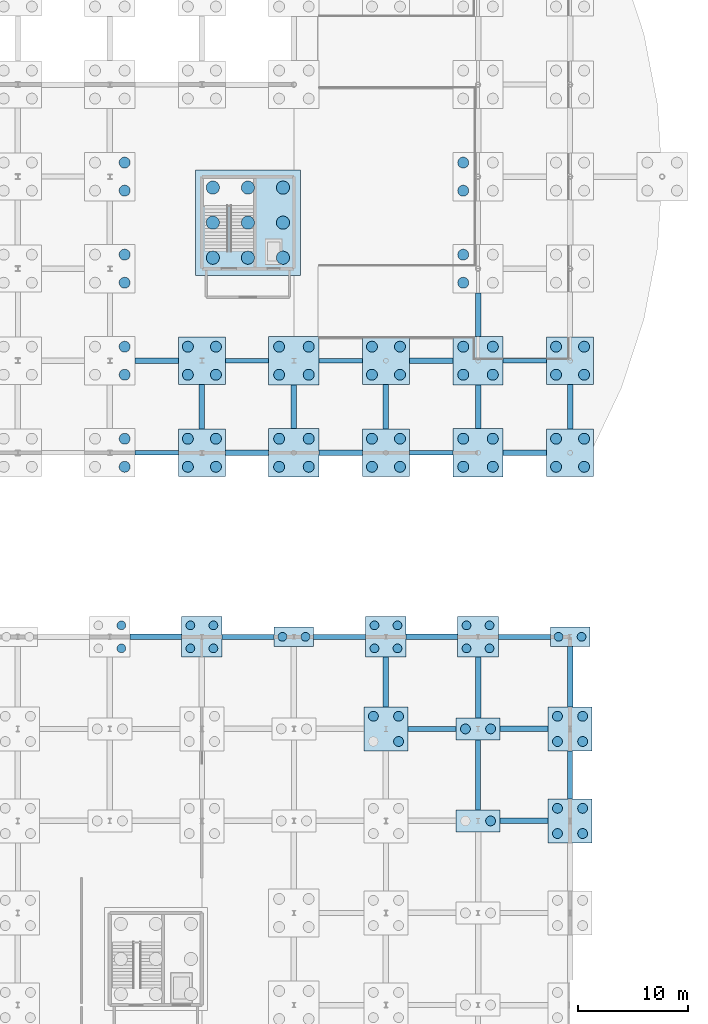
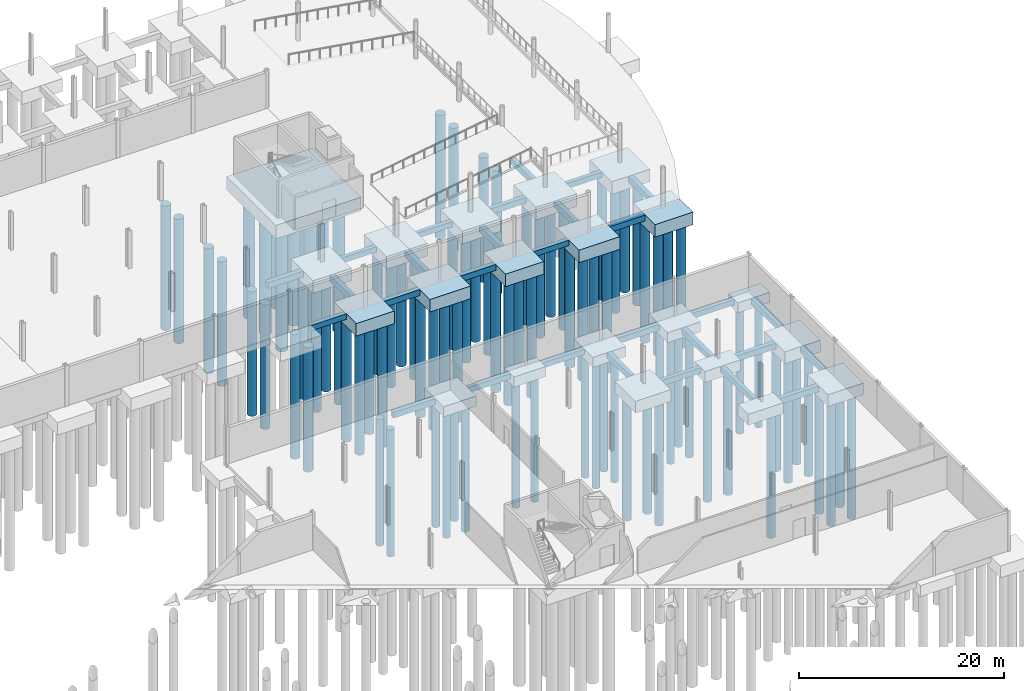
# One storey, part 10 of 51: 93 piles, 50 footings.
"""IFC4 building model written with IfcOpenShell, lengths in metres."""

from ifc_helpers import new_model, si_unit, direction, frame, origin, origin_2d, place, context, subcontext, project, spatial, rectangle, circle, extrude, material, material_profile, profile_set, type_object, element, save


model = new_model("IFC4")

# Units and contexts
model_context = context("Model", 3, precision=1e-05, world=origin(), true_north=direction((0.0, 1.0)))
body_context = subcontext(model_context, "Body", "Model", "MODEL_VIEW")
ifc_project = project(units=[si_unit("LENGTHUNIT", "METRE"), si_unit("AREAUNIT", "SQUARE_METRE"), si_unit("VOLUMEUNIT", "CUBIC_METRE"), si_unit("PLANEANGLEUNIT", "RADIAN"), si_unit("MASSUNIT", "GRAM", prefix="KILO")], contexts=[model_context])

# Site, building, storey
site_placement = place(None, origin())
site = spatial("IfcSite", under=ifc_project, at=site_placement, CompositionType="ELEMENT")
building_placement = place(site_placement, origin())
building = spatial("IfcBuilding", under=site, at=building_placement, Name="Qalvenar Corner Mobility Hub", CompositionType="ELEMENT")
storey_placement = place(building_placement, frame((0.0, 0.0, -4.5)))
storey = spatial("IfcBuildingStorey", under=building, at=storey_placement, Name="B1", CompositionType="ELEMENT", Elevation=-4.5)

# Footings
ifc_material = material(Name="Concrete C40/50", Category="concrete")
footing_type_1 = type_object("IfcFootingType", Name="PC-24X24X12", PredefinedType="PILE_CAP", material=ifc_material)
for number, where, z_axis, x_axis, name in (
    (1, (142.800048828125, 50.39990234375, -1.5498046875), (0.0, 0.0, 1.0), (1.0, 0.0, 0.0), "Pile Cap G18-6"),
    (2, (168.0, 50.39990234375, -1.5498046875), (0.0, 0.0, 1.0), (1.0, 0.0, 0.0), "Pile Cap G21-6"),
):
    element("IfcFooting", number, at=place(storey_placement, frame(where, z_axis=z_axis, x_axis=x_axis)), inside=storey, type_object=footing_type_1, Name=name, PredefinedType="PILE_CAP", context=body_context, shape_type="SweptSolid", body=[
        extrude(rectangle(XDim=3.60009765625, YDim=1.800048828125, at=origin_2d()), origin(), (0.0, 0.0, 1.0), 1.199951171875),
    ])
footing_type_2 = type_object("IfcFootingType", Name="PC-28X28X12", PredefinedType="PILE_CAP", material=ifc_material)
for number, where, z_axis, x_axis, name in (
    (3, (134.39990234375, 50.39990234375, -1.5498046875), (0.0, 0.0, 1.0), (1.0, 0.0, 0.0), "Pile Cap G17-6"),
    (4, (151.199951171875, 50.39990234375, -1.5498046875), (0.0, 0.0, 1.0), (1.0, 0.0, 0.0), "Pile Cap G19-6"),
    (5, (159.60009765625, 50.39990234375, -1.5498046875), (0.0, 0.0, 1.0), (1.0, 0.0, 0.0), "Pile Cap G20-6"),
):
    element("IfcFooting", number, at=place(storey_placement, frame(where, z_axis=z_axis, x_axis=x_axis)), inside=storey, type_object=footing_type_2, Name=name, PredefinedType="PILE_CAP", context=body_context, shape_type="SweptSolid", body=[
        extrude(rectangle(XDim=3.699951171875, YDim=3.699951171875, at=origin_2d()), origin(), (0.0, 0.0, 1.0), 1.199951171875),
    ])
footing_type_3 = type_object("IfcFootingType", Name="PC-32X24X13", PredefinedType="PILE_CAP", material=ifc_material)
for number, where, z_axis, x_axis, name in (
    (6, (159.60009765625, 33.60009765625, -1.64990234375), (0.0, 0.0, 1.0), (1.0, 0.0, 0.0), "Pile Cap G20-4"),
    (7, (159.60009765625, 42.0, -1.64990234375), (0.0, 0.0, 1.0), (1.0, 0.0, 0.0), "Pile Cap G20-5"),
):
    element("IfcFooting", number, at=place(storey_placement, frame(where, z_axis=z_axis, x_axis=x_axis)), inside=storey, type_object=footing_type_3, Name=name, PredefinedType="PILE_CAP", context=body_context, shape_type="SweptSolid", body=[
        extrude(rectangle(XDim=4.0, YDim=2.0, at=origin_2d()), origin(), (0.0, 0.0, 1.0), 1.300048828125),
    ])
footing_type_4 = type_object("IfcFootingType", Name="PC-34X34X14", PredefinedType="PILE_CAP", material=ifc_material)
for number, where, z_axis, x_axis, name in (
    (8, (151.199951171875, 42.0, -1.75), (0.0, 0.0, 1.0), (1.0, 0.0, 0.0), "Pile Cap G19-5"),
    (9, (168.0, 33.60009765625, -1.75), (0.0, 0.0, 1.0), (1.0, 0.0, 0.0), "Pile Cap G21-4"),
    (10, (168.0, 42.0, -1.75), (0.0, 0.0, 1.0), (1.0, 0.0, 0.0), "Pile Cap G21-5"),
):
    element("IfcFooting", number, at=place(storey_placement, frame(where, z_axis=z_axis, x_axis=x_axis)), inside=storey, type_object=footing_type_4, Name=name, PredefinedType="PILE_CAP", context=body_context, shape_type="SweptSolid", body=[
        extrude(rectangle(XDim=4.0, YDim=4.0, at=origin_2d()), origin(), (0.0, 0.0, 1.0), 1.39990234375),
    ])
footing_type_5 = type_object("IfcFootingType", Name="PC-38X38X15", PredefinedType="PILE_CAP", material=ifc_material)
for number, where, z_axis, x_axis, name in (
    (11, (134.39990234375, 67.199951171875, -1.85009765625), (0.0, 0.0, 1.0), (1.0, 0.0, 0.0), "Pile Cap G17-8"),
    (12, (134.39990234375, 75.60009765625, -1.85009765625), (0.0, 0.0, 1.0), (1.0, 0.0, 0.0), "Pile Cap G17-9"),
    (13, (151.199951171875, 67.199951171875, -1.85009765625), (0.0, 0.0, 1.0), (1.0, 0.0, 0.0), "Pile Cap G19-8"),
    (14, (151.199951171875, 75.60009765625, -1.85009765625), (0.0, 0.0, 1.0), (1.0, 0.0, 0.0), "Pile Cap G19-9"),
    (15, (168.0, 67.199951171875, -1.85009765625), (0.0, 0.0, 1.0), (1.0, 0.0, 0.0), "Pile Cap G21-8"),
    (16, (168.0, 75.60009765625, -1.85009765625), (0.0, 0.0, 1.0), (1.0, 0.0, 0.0), "Pile Cap G21-9"),
):
    element("IfcFooting", number, at=place(storey_placement, frame(where, z_axis=z_axis, x_axis=x_axis)), inside=storey, type_object=footing_type_5, Name=name, PredefinedType="PILE_CAP", context=body_context, shape_type="SweptSolid", body=[
        extrude(rectangle(XDim=4.300048828125, YDim=4.300048828125, at=origin_2d()), origin(), (0.0, 0.0, 1.0), 1.5),
    ])
footing_type_6 = type_object("IfcFootingType", Name="PC-42X32X15", PredefinedType="PILE_CAP", material=ifc_material)
for number, where, z_axis, x_axis, name in (
    (17, (142.800048828125, 67.199951171875, -1.85009765625), (0.0, 0.0, 1.0), (1.0, 0.0, 0.0), "Pile Cap G18-8"),
    (18, (142.800048828125, 75.60009765625, -1.85009765625), (0.0, 0.0, 1.0), (1.0, 0.0, 0.0), "Pile Cap G18-9"),
    (19, (159.60009765625, 67.199951171875, -1.85009765625), (0.0, 0.0, 1.0), (1.0, 0.0, 0.0), "Pile Cap G20-8"),
    (20, (159.60009765625, 75.60009765625, -1.85009765625), (0.0, 0.0, 1.0), (1.0, 0.0, 0.0), "Pile Cap G20-9"),
):
    element("IfcFooting", number, at=place(storey_placement, frame(where, z_axis=z_axis, x_axis=x_axis)), inside=storey, type_object=footing_type_6, Name=name, PredefinedType="PILE_CAP", context=body_context, shape_type="SweptSolid", body=[
        extrude(rectangle(XDim=4.60009765625, YDim=4.39990234375, at=origin_2d()), origin(), (0.0, 0.0, 1.0), 1.5),
    ])
footing_type_7 = type_object("IfcFootingType", Name="PC-96X96X16", PredefinedType="PILE_CAP", material=ifc_material)
footing_1_placement = place(storey_placement, frame((138.60009765625, 88.199951171875, -1.949951171875), z_axis=(0.0, 0.0, 1.0), x_axis=(1.0, 0.0, 0.0)))
element("IfcFooting", 21, at=footing_1_placement, inside=storey, type_object=footing_type_7, Name="Core Pile Cap C4", PredefinedType="PILE_CAP", context=body_context, shape_type="SweptSolid", body=[
    extrude(rectangle(XDim=9.60009765625, YDim=9.60009765625, at=origin_2d()), origin(), (0.0, 0.0, 1.0), 1.60009765625),
])

# Piles
ifc_material_profile_1 = material_profile(ifc_material, circle(Radius=0.5, at=origin_2d()), Name="DIA1000")
ifc_profile_set_1 = profile_set([ifc_material_profile_1], Name="Concrete C40/50")
pile_type_1 = type_object("IfcPileType", Name="PILE-1000", PredefinedType="BORED", material=ifc_profile_set_1)
for number, where, z_axis, x_axis, name in (
    (22, (127.35009765625, 65.919921875, -1.699951171875), (0.0, 0.0, -1.0), (1.0, 0.0, 0.0), "Bored Pile G16-8-3"),
    (23, (127.35009765625, 68.47998046875, -1.699951171875), (0.0, 0.0, -1.0), (1.0, 0.0, 0.0), "Bored Pile G16-8-4"),
    (24, (127.35009765625, 74.320068359375, -1.699951171875), (0.0, 0.0, -1.0), (1.0, 0.0, 0.0), "Bored Pile G16-9-3"),
    (25, (127.35009765625, 76.8798828125, -1.699951171875), (0.0, 0.0, -1.0), (1.0, 0.0, 0.0), "Bored Pile G16-9-4"),
    (26, (127.35009765625, 82.719970703125, -1.699951171875), (0.0, 0.0, -1.0), (1.0, 0.0, 0.0), "Bored Pile G16-10-3"),
    (27, (127.35009765625, 85.280029296875, -1.699951171875), (0.0, 0.0, -1.0), (1.0, 0.0, 0.0), "Bored Pile G16-10-4"),
    (28, (127.35009765625, 91.1201171875, -1.699951171875), (0.0, 0.0, -1.0), (1.0, 0.0, 0.0), "Bored Pile G16-11-3"),
    (29, (127.35009765625, 93.679931640625, -1.699951171875), (0.0, 0.0, -1.0), (1.0, 0.0, 0.0), "Bored Pile G16-11-4"),
    (30, (133.1201171875, 65.919921875, -1.699951171875), (0.0, 0.0, -1.0), (1.0, 0.0, 0.0), "Bored Pile G17-8-1"),
    (31, (133.1201171875, 68.47998046875, -1.699951171875), (0.0, 0.0, -1.0), (1.0, 0.0, 0.0), "Bored Pile G17-8-2"),
    (32, (135.679931640625, 65.919921875, -1.699951171875), (0.0, 0.0, -1.0), (1.0, 0.0, 0.0), "Bored Pile G17-8-3"),
    (33, (135.679931640625, 68.47998046875, -1.699951171875), (0.0, 0.0, -1.0), (1.0, 0.0, 0.0), "Bored Pile G17-8-4"),
    (34, (133.1201171875, 74.320068359375, -1.699951171875), (0.0, 0.0, -1.0), (1.0, 0.0, 0.0), "Bored Pile G17-9-1"),
    (35, (133.1201171875, 76.8798828125, -1.699951171875), (0.0, 0.0, -1.0), (1.0, 0.0, 0.0), "Bored Pile G17-9-2"),
    (36, (135.679931640625, 74.320068359375, -1.699951171875), (0.0, 0.0, -1.0), (1.0, 0.0, 0.0), "Bored Pile G17-9-3"),
    (37, (135.679931640625, 76.8798828125, -1.699951171875), (0.0, 0.0, -1.0), (1.0, 0.0, 0.0), "Bored Pile G17-9-4"),
    (38, (141.449951171875, 65.919921875, -1.699951171875), (0.0, 0.0, -1.0), (1.0, 0.0, 0.0), "Bored Pile G18-8-1"),
    (39, (141.449951171875, 68.47998046875, -1.699951171875), (0.0, 0.0, -1.0), (1.0, 0.0, 0.0), "Bored Pile G18-8-2"),
    (40, (144.14990234375, 65.919921875, -1.699951171875), (0.0, 0.0, -1.0), (1.0, 0.0, 0.0), "Bored Pile G18-8-3"),
    (41, (144.14990234375, 68.47998046875, -1.699951171875), (0.0, 0.0, -1.0), (1.0, 0.0, 0.0), "Bored Pile G18-8-4"),
    (42, (141.449951171875, 74.320068359375, -1.699951171875), (0.0, 0.0, -1.0), (1.0, 0.0, 0.0), "Bored Pile G18-9-1"),
    (43, (141.449951171875, 76.8798828125, -1.699951171875), (0.0, 0.0, -1.0), (1.0, 0.0, 0.0), "Bored Pile G18-9-2"),
    (44, (144.14990234375, 74.320068359375, -1.699951171875), (0.0, 0.0, -1.0), (1.0, 0.0, 0.0), "Bored Pile G18-9-3"),
    (45, (144.14990234375, 76.8798828125, -1.699951171875), (0.0, 0.0, -1.0), (1.0, 0.0, 0.0), "Bored Pile G18-9-4"),
    (46, (149.919921875, 65.919921875, -1.699951171875), (0.0, 0.0, -1.0), (1.0, 0.0, 0.0), "Bored Pile G19-8-1"),
    (47, (149.919921875, 68.47998046875, -1.699951171875), (0.0, 0.0, -1.0), (1.0, 0.0, 0.0), "Bored Pile G19-8-2"),
    (48, (152.47998046875, 65.919921875, -1.699951171875), (0.0, 0.0, -1.0), (1.0, 0.0, 0.0), "Bored Pile G19-8-3"),
    (49, (152.47998046875, 68.47998046875, -1.699951171875), (0.0, 0.0, -1.0), (1.0, 0.0, 0.0), "Bored Pile G19-8-4"),
    (50, (149.919921875, 74.320068359375, -1.699951171875), (0.0, 0.0, -1.0), (1.0, 0.0, 0.0), "Bored Pile G19-9-1"),
    (51, (149.919921875, 76.8798828125, -1.699951171875), (0.0, 0.0, -1.0), (1.0, 0.0, 0.0), "Bored Pile G19-9-2"),
    (52, (152.47998046875, 74.320068359375, -1.699951171875), (0.0, 0.0, -1.0), (1.0, 0.0, 0.0), "Bored Pile G19-9-3"),
    (53, (152.47998046875, 76.8798828125, -1.699951171875), (0.0, 0.0, -1.0), (1.0, 0.0, 0.0), "Bored Pile G19-9-4"),
    (54, (158.25, 65.919921875, -1.699951171875), (0.0, 0.0, -1.0), (1.0, 0.0, 0.0), "Bored Pile G20-8-1"),
    (55, (158.25, 68.47998046875, -1.699951171875), (0.0, 0.0, -1.0), (1.0, 0.0, 0.0), "Bored Pile G20-8-2"),
    (56, (160.949951171875, 65.919921875, -1.699951171875), (0.0, 0.0, -1.0), (1.0, 0.0, 0.0), "Bored Pile G20-8-3"),
    (57, (160.949951171875, 68.47998046875, -1.699951171875), (0.0, 0.0, -1.0), (1.0, 0.0, 0.0), "Bored Pile G20-8-4"),
    (58, (158.25, 74.320068359375, -1.699951171875), (0.0, 0.0, -1.0), (1.0, 0.0, 0.0), "Bored Pile G20-9-1"),
    (59, (158.25, 76.8798828125, -1.699951171875), (0.0, 0.0, -1.0), (1.0, 0.0, 0.0), "Bored Pile G20-9-2"),
    (60, (160.949951171875, 74.320068359375, -1.699951171875), (0.0, 0.0, -1.0), (1.0, 0.0, 0.0), "Bored Pile G20-9-3"),
    (61, (160.949951171875, 76.8798828125, -1.699951171875), (0.0, 0.0, -1.0), (1.0, 0.0, 0.0), "Bored Pile G20-9-4"),
    (62, (158.25, 82.719970703125, -1.699951171875), (0.0, 0.0, -1.0), (1.0, 0.0, 0.0), "Bored Pile G20-10-1"),
    (63, (158.25, 85.280029296875, -1.699951171875), (0.0, 0.0, -1.0), (1.0, 0.0, 0.0), "Bored Pile G20-10-2"),
    (64, (158.25, 91.1201171875, -1.699951171875), (0.0, 0.0, -1.0), (1.0, 0.0, 0.0), "Bored Pile G20-11-1"),
    (65, (158.25, 93.679931640625, -1.699951171875), (0.0, 0.0, -1.0), (1.0, 0.0, 0.0), "Bored Pile G20-11-2"),
    (66, (166.719970703125, 65.919921875, -1.699951171875), (0.0, 0.0, -1.0), (1.0, 0.0, 0.0), "Bored Pile G21-8-1"),
    (67, (166.719970703125, 68.47998046875, -1.699951171875), (0.0, 0.0, -1.0), (1.0, 0.0, 0.0), "Bored Pile G21-8-2"),
    (68, (169.280029296875, 65.919921875, -1.699951171875), (0.0, 0.0, -1.0), (1.0, 0.0, 0.0), "Bored Pile G21-8-3"),
    (69, (169.280029296875, 68.47998046875, -1.699951171875), (0.0, 0.0, -1.0), (1.0, 0.0, 0.0), "Bored Pile G21-8-4"),
    (70, (166.719970703125, 74.320068359375, -1.699951171875), (0.0, 0.0, -1.0), (1.0, 0.0, 0.0), "Bored Pile G21-9-1"),
    (71, (166.719970703125, 76.8798828125, -1.699951171875), (0.0, 0.0, -1.0), (1.0, 0.0, 0.0), "Bored Pile G21-9-2"),
    (72, (169.280029296875, 74.320068359375, -1.699951171875), (0.0, 0.0, -1.0), (1.0, 0.0, 0.0), "Bored Pile G21-9-3"),
    (73, (169.280029296875, 76.8798828125, -1.699951171875), (0.0, 0.0, -1.0), (1.0, 0.0, 0.0), "Bored Pile G21-9-4"),
):
    element("IfcPile", number, at=place(storey_placement, frame(where, z_axis=z_axis, x_axis=x_axis)), inside=storey, type_object=pile_type_1, Name=name, PredefinedType="BORED", context=body_context, shape_type="SweptSolid", body=[
        extrude(circle(Radius=0.5, at=origin_2d()), origin(), (0.0, 0.0, 1.0), 14.800048828125),
    ])
ifc_material_profile_2 = material_profile(ifc_material, circle(Radius=0.60009765625, at=origin_2d()), Name="DIA1200")
ifc_profile_set_2 = profile_set([ifc_material_profile_2], Name="Concrete C40/50")
pile_type_2 = type_object("IfcPileType", Name="PILE-1200", PredefinedType="BORED", material=ifc_profile_set_2)
for number, where, z_axis, x_axis, name in (
    (74, (135.39990234375, 85.0, -1.800048828125), (0.0, 0.0, -1.0), (1.0, 0.0, 0.0), "Bored Pile C4-01"),
    (75, (135.39990234375, 88.199951171875, -1.800048828125), (0.0, 0.0, -1.0), (1.0, 0.0, 0.0), "Bored Pile C4-02"),
    (76, (135.39990234375, 91.39990234375, -1.800048828125), (0.0, 0.0, -1.0), (1.0, 0.0, 0.0), "Bored Pile C4-03"),
    (77, (138.60009765625, 85.0, -1.800048828125), (0.0, 0.0, -1.0), (1.0, 0.0, 0.0), "Bored Pile C4-04"),
    (78, (138.60009765625, 88.199951171875, -1.800048828125), (0.0, 0.0, -1.0), (1.0, 0.0, 0.0), "Bored Pile C4-05"),
    (79, (138.60009765625, 91.39990234375, -1.800048828125), (0.0, 0.0, -1.0), (1.0, 0.0, 0.0), "Bored Pile C4-06"),
    (80, (141.800048828125, 85.0, -1.800048828125), (0.0, 0.0, -1.0), (1.0, 0.0, 0.0), "Bored Pile C4-07"),
    (81, (141.800048828125, 88.199951171875, -1.800048828125), (0.0, 0.0, -1.0), (1.0, 0.0, 0.0), "Bored Pile C4-08"),
    (82, (141.800048828125, 91.39990234375, -1.800048828125), (0.0, 0.0, -1.0), (1.0, 0.0, 0.0), "Bored Pile C4-09"),
):
    element("IfcPile", number, at=place(storey_placement, frame(where, z_axis=z_axis, x_axis=x_axis)), inside=storey, type_object=pile_type_2, Name=name, PredefinedType="BORED", context=body_context, shape_type="SweptSolid", body=[
        extrude(circle(Radius=0.60009765625, at=origin_2d()), origin(), (0.0, 0.0, 1.0), 14.699951171875),
    ])
ifc_material_profile_3 = material_profile(ifc_material, circle(Radius=0.39990234375, at=origin_2d()), Name="DIA800")
ifc_profile_set_3 = profile_set([ifc_material_profile_3], Name="Concrete C40/50")
pile_type_3 = type_object("IfcPileType", Name="PILE-800", PredefinedType="BORED", material=ifc_profile_set_3)
for number, where, z_axis, x_axis, name in (
    (83, (127.050048828125, 49.35009765625, -1.39990234375), (0.0, 0.0, -1.0), (1.0, 0.0, 0.0), "Bored Pile G16-6-3"),
    (84, (127.050048828125, 51.449951171875, -1.39990234375), (0.0, 0.0, -1.0), (1.0, 0.0, 0.0), "Bored Pile G16-6-4"),
    (85, (133.35009765625, 49.35009765625, -1.39990234375), (0.0, 0.0, -1.0), (1.0, 0.0, 0.0), "Bored Pile G17-6-1"),
    (86, (133.35009765625, 51.449951171875, -1.39990234375), (0.0, 0.0, -1.0), (1.0, 0.0, 0.0), "Bored Pile G17-6-2"),
    (87, (135.449951171875, 49.35009765625, -1.39990234375), (0.0, 0.0, -1.0), (1.0, 0.0, 0.0), "Bored Pile G17-6-3"),
    (88, (135.449951171875, 51.449951171875, -1.39990234375), (0.0, 0.0, -1.0), (1.0, 0.0, 0.0), "Bored Pile G17-6-4"),
    (89, (141.75, 50.39990234375, -1.39990234375), (0.0, 0.0, -1.0), (1.0, 0.0, 0.0), "Bored Pile G18-6-1"),
    (90, (143.85009765625, 50.39990234375, -1.39990234375), (0.0, 0.0, -1.0), (1.0, 0.0, 0.0), "Bored Pile G18-6-2"),
    (91, (150.14990234375, 49.35009765625, -1.39990234375), (0.0, 0.0, -1.0), (1.0, 0.0, 0.0), "Bored Pile G19-6-1"),
    (92, (150.14990234375, 51.449951171875, -1.39990234375), (0.0, 0.0, -1.0), (1.0, 0.0, 0.0), "Bored Pile G19-6-2"),
    (93, (152.25, 49.35009765625, -1.39990234375), (0.0, 0.0, -1.0), (1.0, 0.0, 0.0), "Bored Pile G19-6-3"),
    (94, (152.25, 51.449951171875, -1.39990234375), (0.0, 0.0, -1.0), (1.0, 0.0, 0.0), "Bored Pile G19-6-4"),
    (95, (158.550048828125, 49.35009765625, -1.39990234375), (0.0, 0.0, -1.0), (1.0, 0.0, 0.0), "Bored Pile G20-6-1"),
    (96, (158.550048828125, 51.449951171875, -1.39990234375), (0.0, 0.0, -1.0), (1.0, 0.0, 0.0), "Bored Pile G20-6-2"),
    (97, (160.64990234375, 49.35009765625, -1.39990234375), (0.0, 0.0, -1.0), (1.0, 0.0, 0.0), "Bored Pile G20-6-3"),
    (98, (160.64990234375, 51.449951171875, -1.39990234375), (0.0, 0.0, -1.0), (1.0, 0.0, 0.0), "Bored Pile G20-6-4"),
    (99, (166.949951171875, 50.39990234375, -1.39990234375), (0.0, 0.0, -1.0), (1.0, 0.0, 0.0), "Bored Pile G21-6-1"),
    (100, (169.050048828125, 50.39990234375, -1.39990234375), (0.0, 0.0, -1.0), (1.0, 0.0, 0.0), "Bored Pile G21-6-2"),
):
    element("IfcPile", number, at=place(storey_placement, frame(where, z_axis=z_axis, x_axis=x_axis)), inside=storey, type_object=pile_type_3, Name=name, PredefinedType="BORED", context=body_context, shape_type="SweptSolid", body=[
        extrude(circle(Radius=0.39990234375, at=origin_2d()), origin(), (0.0, 0.0, 1.0), 15.10009765625),
    ])
ifc_material_profile_4 = material_profile(ifc_material, circle(Radius=0.449951171875, at=origin_2d()), Name="DIA900")
ifc_profile_set_4 = profile_set([ifc_material_profile_4], Name="Concrete C40/50")
pile_type_4 = type_object("IfcPileType", Name="PILE-900", PredefinedType="BORED", material=ifc_profile_set_4)
for number, where, z_axis, x_axis, name in (
    (101, (150.050048828125, 43.14990234375, -1.60009765625), (0.0, 0.0, -1.0), (1.0, 0.0, 0.0), "Bored Pile G19-5-2"),
    (102, (152.35009765625, 40.85009765625, -1.60009765625), (0.0, 0.0, -1.0), (1.0, 0.0, 0.0), "Bored Pile G19-5-3"),
    (103, (152.35009765625, 43.14990234375, -1.60009765625), (0.0, 0.0, -1.0), (1.0, 0.0, 0.0), "Bored Pile G19-5-4"),
):
    element("IfcPile", number, at=place(storey_placement, frame(where, z_axis=z_axis, x_axis=x_axis)), inside=storey, type_object=pile_type_4, Name=name, PredefinedType="BORED", context=body_context, shape_type="SweptSolid", body=[
        extrude(circle(Radius=0.449951171875, at=origin_2d()), origin(), (0.0, 0.0, 1.0), 14.89990234375),
    ])
for number, where, z_axis, x_axis, name in (
    (104, (160.75, 33.60009765625, -1.5), (0.0, 0.0, -1.0), (1.0, 0.0, 0.0), "Bored Pile G20-4-2"),
    (105, (158.449951171875, 42.0, -1.5), (0.0, 0.0, -1.0), (1.0, 0.0, 0.0), "Bored Pile G20-5-1"),
    (106, (160.75, 42.0, -1.5), (0.0, 0.0, -1.0), (1.0, 0.0, 0.0), "Bored Pile G20-5-2"),
):
    element("IfcPile", number, at=place(storey_placement, frame(where, z_axis=z_axis, x_axis=x_axis)), inside=storey, type_object=pile_type_4, Name=name, PredefinedType="BORED", context=body_context, shape_type="SweptSolid", body=[
        extrude(circle(Radius=0.449951171875, at=origin_2d()), origin(), (0.0, 0.0, 1.0), 15.0),
    ])
for number, where, z_axis, x_axis, name in (
    (107, (166.85009765625, 32.449951171875, -1.60009765625), (0.0, 0.0, -1.0), (1.0, 0.0, 0.0), "Bored Pile G21-4-1"),
    (108, (166.85009765625, 34.75, -1.60009765625), (0.0, 0.0, -1.0), (1.0, 0.0, 0.0), "Bored Pile G21-4-2"),
    (109, (169.14990234375, 32.449951171875, -1.60009765625), (0.0, 0.0, -1.0), (1.0, 0.0, 0.0), "Bored Pile G21-4-3"),
    (110, (169.14990234375, 34.75, -1.60009765625), (0.0, 0.0, -1.0), (1.0, 0.0, 0.0), "Bored Pile G21-4-4"),
    (111, (166.85009765625, 40.85009765625, -1.60009765625), (0.0, 0.0, -1.0), (1.0, 0.0, 0.0), "Bored Pile G21-5-1"),
    (112, (166.85009765625, 43.14990234375, -1.60009765625), (0.0, 0.0, -1.0), (1.0, 0.0, 0.0), "Bored Pile G21-5-2"),
    (113, (169.14990234375, 40.85009765625, -1.60009765625), (0.0, 0.0, -1.0), (1.0, 0.0, 0.0), "Bored Pile G21-5-3"),
    (114, (169.14990234375, 43.14990234375, -1.60009765625), (0.0, 0.0, -1.0), (1.0, 0.0, 0.0), "Bored Pile G21-5-4"),
):
    element("IfcPile", number, at=place(storey_placement, frame(where, z_axis=z_axis, x_axis=x_axis)), inside=storey, type_object=pile_type_4, Name=name, PredefinedType="BORED", context=body_context, shape_type="SweptSolid", body=[
        extrude(circle(Radius=0.449951171875, at=origin_2d()), origin(), (0.0, 0.0, 1.0), 14.89990234375),
    ])

# Footings
ifc_material_profile_5 = material_profile(ifc_material, rectangle(XDim=0.449951171875, YDim=0.64990234375, at=origin_2d()), Name="RC450x650")
ifc_profile_set_5 = profile_set([ifc_material_profile_5], Name="Concrete C40/50")
footing_type_8 = type_object("IfcFootingType", Name="TB-450X650", PredefinedType="FOOTING_BEAM", material=ifc_profile_set_5)
footing_2_placement = place(storey_placement, frame((128.300048828125, 67.199951171875, -0.675048828125), z_axis=(1.0, 0.0, 0.0), x_axis=(0.0, 1.0, 0.0)))
element("IfcFooting", 115, at=footing_2_placement, inside=storey, type_object=footing_type_8, Name="Foundation Tie Beam TB-282", PredefinedType="FOOTING_BEAM", context=body_context, shape_type="SweptSolid", body=[
    extrude(rectangle(XDim=0.449951171875, YDim=0.64990234375, at=origin_2d()), origin(), (0.0, 0.0, 1.0), 3.949951171875),
])
footing_3_placement = place(storey_placement, frame((136.25, 50.39990234375, -0.675048828125), z_axis=(1.0, 0.0, 0.0), x_axis=(0.0, 1.0, 0.0)))
element("IfcFooting", 116, at=footing_3_placement, inside=storey, type_object=footing_type_8, Name="Foundation Tie Beam TB-300", PredefinedType="FOOTING_BEAM", context=body_context, shape_type="SweptSolid", body=[
    extrude(rectangle(XDim=0.449951171875, YDim=0.64990234375, at=origin_2d()), origin(), (0.0, 0.0, 1.0), 4.75),
])
footing_4_placement = place(storey_placement, frame((136.550048828125, 75.60009765625, -0.675048828125), z_axis=(1.0, 0.0, 0.0), x_axis=(0.0, 1.0, 0.0)))
element("IfcFooting", 117, at=footing_4_placement, inside=storey, type_object=footing_type_8, Name="Foundation Tie Beam TB-303", PredefinedType="FOOTING_BEAM", context=body_context, shape_type="SweptSolid", body=[
    extrude(rectangle(XDim=0.449951171875, YDim=0.64990234375, at=origin_2d()), origin(), (0.0, 0.0, 1.0), 3.949951171875),
])
footing_5_placement = place(storey_placement, frame((144.60009765625, 50.39990234375, -0.675048828125), z_axis=(1.0, 0.0, 0.0), x_axis=(0.0, 1.0, 0.0)))
element("IfcFooting", 118, at=footing_5_placement, inside=storey, type_object=footing_type_8, Name="Foundation Tie Beam TB-321", PredefinedType="FOOTING_BEAM", context=body_context, shape_type="SweptSolid", body=[
    extrude(rectangle(XDim=0.449951171875, YDim=0.64990234375, at=origin_2d()), origin(), (0.0, 0.0, 1.0), 4.75),
])
footing_6_placement = place(storey_placement, frame((145.10009765625, 75.60009765625, -0.675048828125), z_axis=(1.0, 0.0, 0.0), x_axis=(0.0, 1.0, 0.0)))
element("IfcFooting", 119, at=footing_6_placement, inside=storey, type_object=footing_type_8, Name="Foundation Tie Beam TB-324", PredefinedType="FOOTING_BEAM", context=body_context, shape_type="SweptSolid", body=[
    extrude(rectangle(XDim=0.449951171875, YDim=0.64990234375, at=origin_2d()), origin(), (0.0, 0.0, 1.0), 3.949951171875),
])
footing_7_placement = place(storey_placement, frame((153.199951171875, 42.0, -0.675048828125), z_axis=(1.0, 0.0, 0.0), x_axis=(0.0, 1.0, 0.0)))
element("IfcFooting", 120, at=footing_7_placement, inside=storey, type_object=footing_type_8, Name="Foundation Tie Beam TB-339", PredefinedType="FOOTING_BEAM", context=body_context, shape_type="SweptSolid", body=[
    extrude(rectangle(XDim=0.449951171875, YDim=0.64990234375, at=origin_2d()), origin(), (0.0, 0.0, 1.0), 4.400146484375),
])
footing_8_placement = place(storey_placement, frame((153.35009765625, 67.199951171875, -0.675048828125), z_axis=(1.0, 0.0, 0.0), x_axis=(0.0, 1.0, 0.0)))
element("IfcFooting", 121, at=footing_8_placement, inside=storey, type_object=footing_type_8, Name="Foundation Tie Beam TB-342", PredefinedType="FOOTING_BEAM", context=body_context, shape_type="SweptSolid", body=[
    extrude(rectangle(XDim=0.449951171875, YDim=0.64990234375, at=origin_2d()), origin(), (0.0, 0.0, 1.0), 3.949951171875),
])
footing_9_placement = place(storey_placement, frame((159.60009765625, 34.60009765625, -0.675048828125), z_axis=(0.0, 1.0, 0.0), x_axis=(-1.0, 0.0, 0.0)))
element("IfcFooting", 122, at=footing_9_placement, inside=storey, type_object=footing_type_8, Name="Foundation Tie Beam TB-357", PredefinedType="FOOTING_BEAM", context=body_context, shape_type="SweptSolid", body=[
    extrude(rectangle(XDim=0.449951171875, YDim=0.64990234375, at=origin_2d()), origin(), (0.0, 0.0, 1.0), 6.39990234375),
])
footing_10_placement = place(storey_placement, frame((161.449951171875, 50.39990234375, -0.675048828125), z_axis=(1.0, 0.0, 0.0), x_axis=(0.0, 1.0, 0.0)))
element("IfcFooting", 123, at=footing_10_placement, inside=storey, type_object=footing_type_8, Name="Foundation Tie Beam TB-360", PredefinedType="FOOTING_BEAM", context=body_context, shape_type="SweptSolid", body=[
    extrude(rectangle(XDim=0.449951171875, YDim=0.64990234375, at=origin_2d()), origin(), (0.0, 0.0, 1.0), 4.75),
])
footing_11_placement = place(storey_placement, frame((161.89990234375, 75.60009765625, -0.675048828125), z_axis=(1.0, 0.0, 0.0), x_axis=(0.0, 1.0, 0.0)))
element("IfcFooting", 124, at=footing_11_placement, inside=storey, type_object=footing_type_8, Name="Foundation Tie Beam TB-363", PredefinedType="FOOTING_BEAM", context=body_context, shape_type="SweptSolid", body=[
    extrude(rectangle(XDim=0.449951171875, YDim=0.64990234375, at=origin_2d()), origin(), (0.0, 0.0, 1.0), 3.9501953125),
])
footing_12_placement = place(storey_placement, frame((168.0, 35.60009765625, -0.675048828125), z_axis=(0.0, 1.0, 0.0), x_axis=(-1.0, 0.0, 0.0)))
element("IfcFooting", 125, at=footing_12_placement, inside=storey, type_object=footing_type_8, Name="Foundation Tie Beam TB-378", PredefinedType="FOOTING_BEAM", context=body_context, shape_type="SweptSolid", body=[
    extrude(rectangle(XDim=0.449951171875, YDim=0.64990234375, at=origin_2d()), origin(), (0.0, 0.0, 1.0), 4.39990234375),
])
ifc_material_profile_6 = material_profile(ifc_material, rectangle(XDim=0.5, YDim=0.699951171875, at=origin_2d()), Name="RC500x700")
ifc_profile_set_6 = profile_set([ifc_material_profile_6], Name="Concrete C40/50")
footing_type_9 = type_object("IfcFootingType", Name="TB-500X700", PredefinedType="FOOTING_BEAM", material=ifc_profile_set_6)
footing_13_placement = place(storey_placement, frame((127.85009765625, 50.39990234375, -0.699951171875), z_axis=(1.0, 0.0, 0.0), x_axis=(0.0, 1.0, 0.0)))
element("IfcFooting", 126, at=footing_13_placement, inside=storey, type_object=footing_type_9, Name="Foundation Tie Beam TB-281", PredefinedType="FOOTING_BEAM", context=body_context, shape_type="SweptSolid", body=[
    extrude(rectangle(XDim=0.5, YDim=0.699951171875, at=origin_2d()), origin(), (0.0, 0.0, 1.0), 4.699951171875),
])
for number, where, z_axis, x_axis, name in (
    (127, (128.300048828125, 75.60009765625, -0.699951171875), (1.0, 0.0, 0.0), (0.0, 1.0, 0.0), "Foundation Tie Beam TB-284"),
    (128, (136.550048828125, 67.199951171875, -0.699951171875), (1.0, 0.0, 0.0), (0.0, 1.0, 0.0), "Foundation Tie Beam TB-301"),
):
    element("IfcFooting", number, at=place(storey_placement, frame(where, z_axis=z_axis, x_axis=x_axis)), inside=storey, type_object=footing_type_9, Name=name, PredefinedType="FOOTING_BEAM", context=body_context, shape_type="SweptSolid", body=[
        extrude(rectangle(XDim=0.5, YDim=0.699951171875, at=origin_2d()), origin(), (0.0, 0.0, 1.0), 3.949951171875),
    ])
footing_14_placement = place(storey_placement, frame((134.39990234375, 69.35009765625, -0.699951171875), z_axis=(0.0, 1.0, 0.0), x_axis=(-1.0, 0.0, 0.0)))
element("IfcFooting", 129, at=footing_14_placement, inside=storey, type_object=footing_type_9, Name="Foundation Tie Beam TB-302", PredefinedType="FOOTING_BEAM", context=body_context, shape_type="SweptSolid", body=[
    extrude(rectangle(XDim=0.5, YDim=0.699951171875, at=origin_2d()), origin(), (0.0, 0.0, 1.0), 4.099853515625),
])
footing_15_placement = place(storey_placement, frame((145.10009765625, 67.199951171875, -0.699951171875), z_axis=(1.0, 0.0, 0.0), x_axis=(0.0, 1.0, 0.0)))
element("IfcFooting", 130, at=footing_15_placement, inside=storey, type_object=footing_type_9, Name="Foundation Tie Beam TB-322", PredefinedType="FOOTING_BEAM", context=body_context, shape_type="SweptSolid", body=[
    extrude(rectangle(XDim=0.5, YDim=0.699951171875, at=origin_2d()), origin(), (0.0, 0.0, 1.0), 3.949951171875),
])
footing_16_placement = place(storey_placement, frame((142.800048828125, 69.39990234375, -0.699951171875), z_axis=(0.0, 1.0, 0.0), x_axis=(-1.0, 0.0, 0.0)))
element("IfcFooting", 131, at=footing_16_placement, inside=storey, type_object=footing_type_9, Name="Foundation Tie Beam TB-323", PredefinedType="FOOTING_BEAM", context=body_context, shape_type="SweptSolid", body=[
    extrude(rectangle(XDim=0.5, YDim=0.699951171875, at=origin_2d()), origin(), (0.0, 0.0, 1.0), 4.0),
])
footing_17_placement = place(storey_placement, frame((151.199951171875, 44.0, -0.699951171875), z_axis=(0.0, 1.0, 0.0), x_axis=(-1.0, 0.0, 0.0)))
element("IfcFooting", 132, at=footing_17_placement, inside=storey, type_object=footing_type_9, Name="Foundation Tie Beam TB-340", PredefinedType="FOOTING_BEAM", context=body_context, shape_type="SweptSolid", body=[
    extrude(rectangle(XDim=0.5, YDim=0.699951171875, at=origin_2d()), origin(), (0.0, 0.0, 1.0), 4.550048828125),
])
footing_18_placement = place(storey_placement, frame((153.050048828125, 50.39990234375, -0.699951171875), z_axis=(1.0, 0.0, 0.0), x_axis=(0.0, 1.0, 0.0)))
element("IfcFooting", 133, at=footing_18_placement, inside=storey, type_object=footing_type_9, Name="Foundation Tie Beam TB-341", PredefinedType="FOOTING_BEAM", context=body_context, shape_type="SweptSolid", body=[
    extrude(rectangle(XDim=0.5, YDim=0.699951171875, at=origin_2d()), origin(), (0.0, 0.0, 1.0), 4.699951171875),
])
footing_19_placement = place(storey_placement, frame((151.199951171875, 69.35009765625, -0.699951171875), z_axis=(0.0, 1.0, 0.0), x_axis=(-1.0, 0.0, 0.0)))
element("IfcFooting", 134, at=footing_19_placement, inside=storey, type_object=footing_type_9, Name="Foundation Tie Beam TB-343", PredefinedType="FOOTING_BEAM", context=body_context, shape_type="SweptSolid", body=[
    extrude(rectangle(XDim=0.5, YDim=0.699951171875, at=origin_2d()), origin(), (0.0, 0.0, 1.0), 4.099853515625),
])
footing_20_placement = place(storey_placement, frame((153.35009765625, 75.60009765625, -0.699951171875), z_axis=(1.0, 0.0, 0.0), x_axis=(0.0, 1.0, 0.0)))
element("IfcFooting", 135, at=footing_20_placement, inside=storey, type_object=footing_type_9, Name="Foundation Tie Beam TB-344", PredefinedType="FOOTING_BEAM", context=body_context, shape_type="SweptSolid", body=[
    extrude(rectangle(XDim=0.5, YDim=0.699951171875, at=origin_2d()), origin(), (0.0, 0.0, 1.0), 3.949951171875),
])
for number, where, z_axis, x_axis, name in (
    (136, (161.60009765625, 33.60009765625, -0.699951171875), (1.0, 0.0, 0.0), (0.0, 1.0, 0.0), "Foundation Tie Beam TB-356"),
    (137, (161.60009765625, 42.0, -0.699951171875), (1.0, 0.0, 0.0), (0.0, 1.0, 0.0), "Foundation Tie Beam TB-358"),
):
    element("IfcFooting", number, at=place(storey_placement, frame(where, z_axis=z_axis, x_axis=x_axis)), inside=storey, type_object=footing_type_9, Name=name, PredefinedType="FOOTING_BEAM", context=body_context, shape_type="SweptSolid", body=[
        extrude(rectangle(XDim=0.5, YDim=0.699951171875, at=origin_2d()), origin(), (0.0, 0.0, 1.0), 4.39990234375),
    ])
footing_21_placement = place(storey_placement, frame((159.60009765625, 43.0, -0.699951171875), z_axis=(0.0, 1.0, 0.0), x_axis=(-1.0, 0.0, 0.0)))
element("IfcFooting", 138, at=footing_21_placement, inside=storey, type_object=footing_type_9, Name="Foundation Tie Beam TB-359", PredefinedType="FOOTING_BEAM", context=body_context, shape_type="SweptSolid", body=[
    extrude(rectangle(XDim=0.5, YDim=0.699951171875, at=origin_2d()), origin(), (0.0, 0.0, 1.0), 5.550048828125),
])
footing_22_placement = place(storey_placement, frame((161.89990234375, 67.199951171875, -0.699951171875), z_axis=(1.0, 0.0, 0.0), x_axis=(0.0, 1.0, 0.0)))
element("IfcFooting", 139, at=footing_22_placement, inside=storey, type_object=footing_type_9, Name="Foundation Tie Beam TB-361", PredefinedType="FOOTING_BEAM", context=body_context, shape_type="SweptSolid", body=[
    extrude(rectangle(XDim=0.5, YDim=0.699951171875, at=origin_2d()), origin(), (0.0, 0.0, 1.0), 3.9501953125),
])
for number, where, z_axis, x_axis, name in (
    (140, (159.60009765625, 69.39990234375, -0.699951171875), (0.0, 1.0, 0.0), (-1.0, 0.0, 0.0), "Foundation Tie Beam TB-362"),
    (141, (159.60009765625, 77.800048828125, -0.699951171875), (0.0, 1.0, 0.0), (-1.0, 0.0, 0.0), "Foundation Tie Beam TB-364"),
):
    element("IfcFooting", number, at=place(storey_placement, frame(where, z_axis=z_axis, x_axis=x_axis)), inside=storey, type_object=footing_type_9, Name=name, PredefinedType="FOOTING_BEAM", context=body_context, shape_type="SweptSolid", body=[
        extrude(rectangle(XDim=0.5, YDim=0.699951171875, at=origin_2d()), origin(), (0.0, 0.0, 1.0), 4.0),
    ])
footing_23_placement = place(storey_placement, frame((168.0, 44.0, -0.699951171875), z_axis=(0.0, 1.0, 0.0), x_axis=(-1.0, 0.0, 0.0)))
element("IfcFooting", 142, at=footing_23_placement, inside=storey, type_object=footing_type_9, Name="Foundation Tie Beam TB-379", PredefinedType="FOOTING_BEAM", context=body_context, shape_type="SweptSolid", body=[
    extrude(rectangle(XDim=0.5, YDim=0.699951171875, at=origin_2d()), origin(), (0.0, 0.0, 1.0), 5.5),
])
footing_24_placement = place(storey_placement, frame((168.0, 69.35009765625, -0.699951171875), z_axis=(0.0, 1.0, 0.0), x_axis=(-1.0, 0.0, 0.0)))
element("IfcFooting", 143, at=footing_24_placement, inside=storey, type_object=footing_type_9, Name="Foundation Tie Beam TB-380", PredefinedType="FOOTING_BEAM", context=body_context, shape_type="SweptSolid", body=[
    extrude(rectangle(XDim=0.5, YDim=0.699951171875, at=origin_2d()), origin(), (0.0, 0.0, 1.0), 4.099853515625),
])

save(model, "model.ifc")
